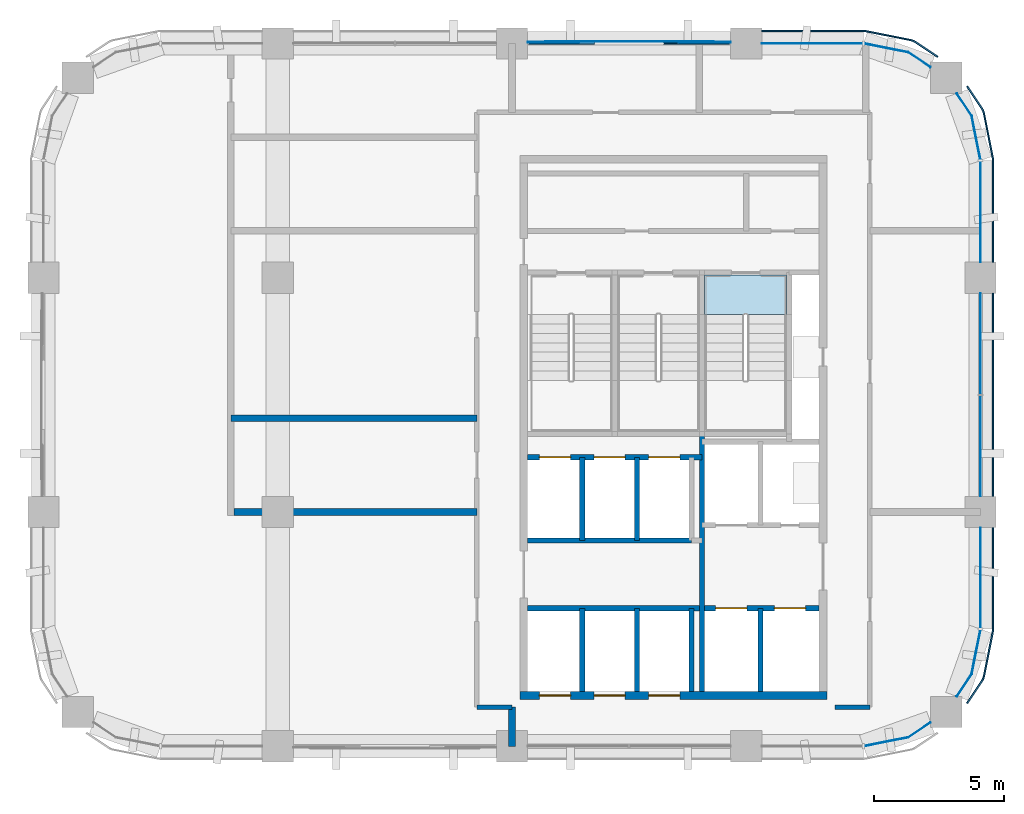
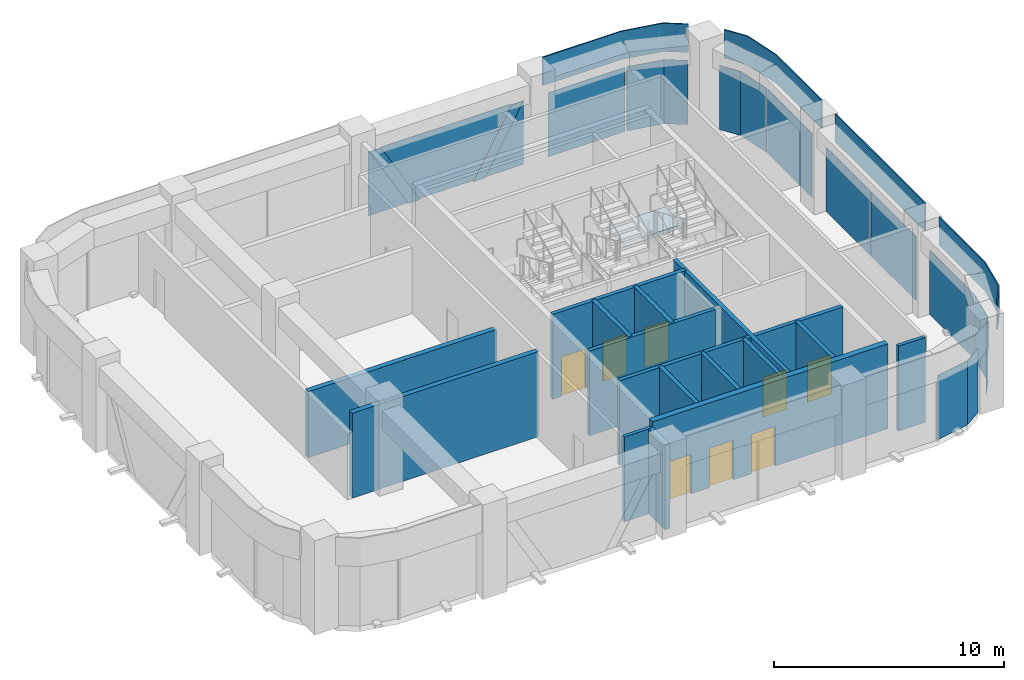
# One storey, part 7 of 11: 18 plates, 16 walls, 8 doors, 1 slab, 8 openings, 7 elements without a shape of their own.
"""IFC4 building model written with IfcOpenShell, lengths in metres."""

from ifc_helpers import new_model, si_unit, direction, frame, frame_2d, origin, origin_2d, place, context, subcontext, project, spatial, polyline, rectangle, outline, extrude, material, layer, layer_set, type_object, element, fill, aggregate, save


model = new_model("IFC4")

# Units and contexts
model_context = context("Model", 3, precision=1e-05, world=origin(), true_north=direction((0.0, 1.0)))
body_context = subcontext(model_context, "Body", "Model", "MODEL_VIEW")
ifc_project = project(units=[si_unit("LENGTHUNIT", "METRE"), si_unit("AREAUNIT", "SQUARE_METRE"), si_unit("VOLUMEUNIT", "CUBIC_METRE"), si_unit("PLANEANGLEUNIT", "RADIAN"), si_unit("MASSUNIT", "GRAM", prefix="KILO")], contexts=[model_context])

# Site, building, storey
site_placement = place(None, origin())
site = spatial("IfcSite", under=ifc_project, at=site_placement, CompositionType="ELEMENT")
building_placement = place(site_placement, origin())
building = spatial("IfcBuilding", under=site, at=building_placement, Name="Tessera Arch", CompositionType="ELEMENT")
storey_placement = place(building_placement, frame((0.0, 0.0, 290.199951171875)))
storey = spatial("IfcBuildingStorey", under=building, at=storey_placement, Name="L70", CompositionType="ELEMENT", Elevation=290.199951171875)

# Curtain wall, plates
ifc_material_1 = material(Name="CW1 curtain wall")
curtain_wall_type_1 = type_object("IfcCurtainWallType", Name="CW1 curtain wall", PredefinedType="NOTDEFINED", material=ifc_material_1)
curtain_wall_1_placement = place(storey_placement, origin())
curtain_wall_1 = element("IfcCurtainWall", 1, at=curtain_wall_1_placement, inside=storey, type_object=curtain_wall_type_1, Name="CW1 curtain wall E54.27/0 L70", PredefinedType="NOTDEFINED")
ifc_material_2 = material(Name="Clear low-e glass", Category="glass")
ifc_material_3 = material(Name="Clear low-e glass", Category="glass")
ifc_layer_1 = layer(ifc_material_3, 0.028076171875)
ifc_layer_set_1 = layer_set([ifc_layer_1], Name="CW1 glass panel")
plate_type_1 = type_object("IfcPlateType", Name="CW1 glass panel", PredefinedType="CURTAIN_PANEL", material=ifc_layer_set_1)
plate_1_placement = place(storey_placement, frame((54.0, 38.534912109375, 0.0), z_axis=(0.0, 0.0, 1.0), x_axis=(0.0, 1.0, 0.0)))
plate_1 = element("IfcPlate", 2, at=plate_1_placement, type_object=plate_type_1, material=ifc_material_2, Name="CW1 glass panel E54.27/0 1.1.1", PredefinedType="CURTAIN_PANEL", context=body_context, shape_type="SweptSolid", body=[
    extrude(rectangle(XDim=3.8701171875, YDim=0.028076171875, at=origin_2d()), origin(), (0.0, 0.0, 1.0), 3.39990234375),
])
plate_2_placement = place(storey_placement, frame((54.0, 42.465087890625, 0.0), z_axis=(0.0, 0.0, 1.0), x_axis=(0.0, 1.0, 0.0)))
plate_2 = element("IfcPlate", 3, at=plate_2_placement, type_object=plate_type_1, material=ifc_material_2, Name="CW1 glass panel E54.27/0 1.2.1", PredefinedType="CURTAIN_PANEL", context=body_context, shape_type="SweptSolid", body=[
    extrude(rectangle(XDim=3.8701171875, YDim=0.028076171875, at=origin_2d()), origin(), (0.0, 0.0, 1.0), 3.39990234375),
])
ifc_material_4 = material(Name="Pale anodised aluminium panel", Category="aluminium")
ifc_layer_2 = layer(ifc_material_4, 0.06005859375)
ifc_layer_set_2 = layer_set([ifc_layer_2], Name="CW1 spandrel panel")
plate_type_2 = type_object("IfcPlateType", Name="CW1 spandrel panel", PredefinedType="CURTAIN_PANEL", material=ifc_layer_set_2)
plate_3_placement = place(storey_placement, frame((54.47998046875, 40.5, 3.5), z_axis=(0.0, 0.0, 1.0), x_axis=(0.0, 1.0, 0.0)))
plate_3 = element("IfcPlate", 4, at=plate_3_placement, type_object=plate_type_2, Name="CW1 spandrel panel E54.27/0", PredefinedType="CURTAIN_PANEL", context=body_context, shape_type="SweptSolid", body=[
    extrude(rectangle(XDim=7.800048828125, YDim=0.06005859375, at=origin_2d()), origin(), (0.0, 0.0, 1.0), 1.5),
])
aggregate(curtain_wall_1, [plate_1, plate_2, plate_3])

ifc_material_5 = material(Name="CW2 curtain wall")
curtain_wall_type_2 = type_object("IfcCurtainWallType", Name="CW2 curtain wall", PredefinedType="NOTDEFINED", material=ifc_material_5)
curtain_wall_2_placement = place(storey_placement, origin())
curtain_wall_2 = element("IfcCurtainWall", 5, at=curtain_wall_2_placement, inside=storey, type_object=curtain_wall_type_2, Name="CW2 curtain wall E54.27/1 L70", PredefinedType="NOTDEFINED")
ifc_material_6 = material(Name="Clear low-e glass", Category="glass")
ifc_layer_3 = layer(ifc_material_6, 0.028076171875)
ifc_layer_set_3 = layer_set([ifc_layer_3], Name="CW2 glass panel")
plate_type_3 = type_object("IfcPlateType", Name="CW2 glass panel", PredefinedType="CURTAIN_PANEL", material=ifc_layer_set_3)
plate_4_placement = place(storey_placement, frame((54.0, 47.530029296875, 0.0), z_axis=(0.0, 0.0, 1.0), x_axis=(0.0, 1.0, 0.0)))
plate_4 = element("IfcPlate", 6, at=plate_4_placement, type_object=plate_type_3, material=ifc_material_2, Name="CW2 glass panel E54.27/1 1.1", PredefinedType="CURTAIN_PANEL", context=body_context, shape_type="SweptSolid", body=[
    extrude(rectangle(XDim=3.860107421875, YDim=0.028076171875, at=origin_2d()), origin(), (0.0, 0.0, 1.0), 3.39990234375),
])
plate_5_placement = place(storey_placement, origin())
plate_5 = element("IfcPlate", 7, at=plate_5_placement, type_object=plate_type_3, material=ifc_material_2, Name="CW2 curved glass panel E54.27/1 2.1", PredefinedType="CURTAIN_PANEL", context=body_context, shape_type="SweptSolid", body=[
    extrude(outline(polyline([(53.644287109375, 51.216552734375), (53.978515625, 49.53662109375), (54.005859375, 49.5419921875), (53.670654296875, 51.2275390625), (53.094482421875, 52.08984375), (53.0712890625, 52.07421875), (53.644287109375, 51.216552734375)])), origin(), (0.0, 0.0, 1.0), 3.400146484375),
])

curtain_wall_3_placement = place(storey_placement, origin())
curtain_wall_3 = element("IfcCurtainWall", 8, at=curtain_wall_3_placement, inside=storey, type_object=curtain_wall_type_2, Name="CW2 curtain wall N54.18/0 L70", PredefinedType="NOTDEFINED")
plate_6_placement = place(storey_placement, frame((47.530029296875, 54.0, 0.0), z_axis=(0.0, 0.0, 1.0), x_axis=(-1.0, 0.0, 0.0)))
plate_6 = element("IfcPlate", 9, at=plate_6_placement, type_object=plate_type_3, material=ifc_material_2, Name="CW2 glass panel N54.18/0 1.1", PredefinedType="CURTAIN_PANEL", context=body_context, shape_type="SweptSolid", body=[
    extrude(rectangle(XDim=3.860107421875, YDim=0.028076171875, at=origin_2d()), origin(), (0.0, 0.0, 1.0), 3.39990234375),
])
plate_7_placement = place(storey_placement, origin())
plate_7 = element("IfcPlate", 10, at=plate_7_placement, type_object=plate_type_3, material=ifc_material_2, Name="CW2 curved glass panel N54.18/0 2.1", PredefinedType="CURTAIN_PANEL", context=body_context, shape_type="SweptSolid", body=[
    extrude(outline(polyline([(51.216552734375, 53.644287109375), (52.07421875, 53.0712890625), (52.08984375, 53.094482421875), (51.2275390625, 53.670654296875), (49.5419921875, 54.005859375), (49.53662109375, 53.978515625), (51.216552734375, 53.644287109375)])), origin(), (0.0, 0.0, 1.0), 3.400146484375),
])

# Curtain wall, plate
curtain_wall_4_placement = place(storey_placement, origin())
curtain_wall_4 = element("IfcCurtainWall", 11, at=curtain_wall_4_placement, inside=storey, type_object=curtain_wall_type_2, Name="CW2 curtain wall S27.18/3 L70", PredefinedType="NOTDEFINED")
plate_8_placement = place(storey_placement, origin())
plate_8 = element("IfcPlate", 12, at=plate_8_placement, type_object=plate_type_3, material=ifc_material_2, Name="CW2 curved glass panel S27.18/3 2.1", PredefinedType="CURTAIN_PANEL", context=body_context, shape_type="SweptSolid", body=[
    extrude(outline(polyline([(51.216552734375, 27.355712890625), (49.53662109375, 27.021484375), (49.5419921875, 26.994140625), (51.2275390625, 27.329345703125), (52.08984375, 27.905517578125), (52.07421875, 27.9287109375), (51.216552734375, 27.355712890625)])), origin(), (0.0, 0.0, 1.0), 3.400146484375),
])
aggregate(curtain_wall_4, [plate_8])

# Curtain wall, plates
curtain_wall_5_placement = place(storey_placement, origin())
curtain_wall_5 = element("IfcCurtainWall", 13, at=curtain_wall_5_placement, inside=storey, type_object=curtain_wall_type_2, Name="CW2 curtain wall E54.27/2 L70", PredefinedType="NOTDEFINED")
plate_9_placement = place(storey_placement, frame((54.0, 33.469970703125, 0.0), z_axis=(0.0, 0.0, 1.0), x_axis=(0.0, 1.0, 0.0)))
plate_9 = element("IfcPlate", 14, at=plate_9_placement, type_object=plate_type_3, material=ifc_material_2, Name="CW2 glass panel E54.27/2 1.1", PredefinedType="CURTAIN_PANEL", context=body_context, shape_type="SweptSolid", body=[
    extrude(rectangle(XDim=3.860107421875, YDim=0.028076171875, at=origin_2d()), origin(), (0.0, 0.0, 1.0), 3.39990234375),
])
plate_10_placement = place(storey_placement, origin())
plate_10 = element("IfcPlate", 15, at=plate_10_placement, type_object=plate_type_3, material=ifc_material_2, Name="CW2 curved glass panel E54.27/2 2.1", PredefinedType="CURTAIN_PANEL", context=body_context, shape_type="SweptSolid", body=[
    extrude(outline(polyline([(53.644287109375, 29.783447265625), (53.0712890625, 28.92578125), (53.094482421875, 28.91015625), (53.670654296875, 29.7724609375), (54.005859375, 31.4580078125), (53.978515625, 31.46337890625), (53.644287109375, 29.783447265625)])), origin(), (0.0, 0.0, 1.0), 3.400146484375),
])

# Plate
ifc_material_7 = material(Name="Pale anodised aluminium panel", Category="aluminium")
ifc_layer_4 = layer(ifc_material_7, 0.06005859375)
ifc_layer_set_4 = layer_set([ifc_layer_4], Name="CW2 spandrel panel")
plate_type_4 = type_object("IfcPlateType", Name="CW2 spandrel panel", PredefinedType="CURTAIN_PANEL", material=ifc_layer_set_4)
plate_11_placement = place(storey_placement, frame((0.0, 0.0, 3.5)))
plate_11 = element("IfcPlate", 16, at=plate_11_placement, type_object=plate_type_4, Name="CW2 spandrel panel E54.27/1", PredefinedType="CURTAIN_PANEL", context=body_context, shape_type="SweptSolid", body=[
    extrude(outline(polyline([(54.449951171875, 49.499267578125), (54.449951171875, 45.60009765625), (54.510009765625, 45.60009765625), (54.510009765625, 49.500732421875), (54.507568359375, 49.550048828125), (54.500244140625, 49.598876953125), (54.157470703125, 51.322265625), (54.1455078125, 51.3701171875), (54.128662109375, 51.417236328125), (54.107421875, 51.462646484375), (54.08203125, 51.5048828125), (53.5068359375, 52.365234375), (53.45703125, 52.33203125), (54.03125, 51.47265625), (54.054443359375, 51.434326171875), (54.0732421875, 51.394287109375), (54.088134765625, 51.352783203125), (54.09912109375, 51.30908203125), (54.441162109375, 49.588623046875), (54.44775390625, 49.544189453125), (54.449951171875, 49.499267578125)])), origin(), (0.0, 0.0, 1.0), 1.5),
])

aggregate(curtain_wall_2, [plate_4, plate_5, plate_11])

plate_12_placement = place(storey_placement, frame((0.0, 0.0, 3.5)))
plate_12 = element("IfcPlate", 17, at=plate_12_placement, type_object=plate_type_4, Name="CW2 spandrel panel N54.18/0", PredefinedType="CURTAIN_PANEL", context=body_context, shape_type="SweptSolid", body=[
    extrude(outline(polyline([(51.47265625, 54.03125), (52.33203125, 53.45703125), (52.365234375, 53.5068359375), (51.5048828125, 54.08203125), (51.462646484375, 54.107421875), (51.417236328125, 54.128662109375), (51.3701171875, 54.1455078125), (51.322265625, 54.157470703125), (49.598876953125, 54.500244140625), (49.550048828125, 54.507568359375), (49.500732421875, 54.510009765625), (45.60009765625, 54.510009765625), (45.60009765625, 54.449951171875), (49.499267578125, 54.449951171875), (49.544189453125, 54.44775390625), (49.588623046875, 54.441162109375), (51.30908203125, 54.09912109375), (51.352783203125, 54.088134765625), (51.394287109375, 54.0732421875), (51.434326171875, 54.054443359375), (51.47265625, 54.03125)])), origin(), (0.0, 0.0, 1.0), 1.5),
])

aggregate(curtain_wall_3, [plate_6, plate_7, plate_12])

plate_13_placement = place(storey_placement, frame((0.0, 0.0, 3.5)))
plate_13 = element("IfcPlate", 18, at=plate_13_placement, type_object=plate_type_4, Name="CW2 spandrel panel E54.27/2", PredefinedType="CURTAIN_PANEL", context=body_context, shape_type="SweptSolid", body=[
    extrude(outline(polyline([(54.03125, 29.52734375), (53.45703125, 28.66796875), (53.5068359375, 28.634765625), (54.08203125, 29.4951171875), (54.107421875, 29.537353515625), (54.128662109375, 29.582763671875), (54.1455078125, 29.6298828125), (54.157470703125, 29.677734375), (54.500244140625, 31.401123046875), (54.507568359375, 31.449951171875), (54.510009765625, 31.499267578125), (54.510009765625, 35.39990234375), (54.449951171875, 35.39990234375), (54.449951171875, 31.500732421875), (54.44775390625, 31.455810546875), (54.441162109375, 31.411376953125), (54.09912109375, 29.69091796875), (54.088134765625, 29.647216796875), (54.0732421875, 29.605712890625), (54.054443359375, 29.565673828125), (54.03125, 29.52734375)])), origin(), (0.0, 0.0, 1.0), 1.5),
])

aggregate(curtain_wall_5, [plate_9, plate_10, plate_13])

# Curtain wall, plates
ifc_material_8 = material(Name="CW3 curtain wall")
curtain_wall_type_3 = type_object("IfcCurtainWallType", Name="CW3 curtain wall", PredefinedType="NOTDEFINED", material=ifc_material_8)
curtain_wall_6_placement = place(storey_placement, origin())
curtain_wall_6 = element("IfcCurtainWall", 19, at=curtain_wall_6_placement, inside=storey, type_object=curtain_wall_type_3, Name="CW3 curtain wall N54.18/1 L70", PredefinedType="NOTDEFINED")
ifc_material_9 = material(Name="Pale anodised aluminium panel", Category="aluminium")
ifc_layer_5 = layer(ifc_material_9, 0.06005859375)
ifc_layer_set_5 = layer_set([ifc_layer_5], Name="CW3 diagonal panel")
plate_type_5 = type_object("IfcPlateType", Name="CW3 diagonal panel", PredefinedType="CURTAIN_PANEL", material=ifc_layer_set_5)
plate_14_placement = place(storey_placement, frame((36.651123046875, 54.030029296875, 3.400146484375), z_axis=(0.0, 1.0, 0.0), x_axis=(1.0, 0.0, 0.0)))
plate_14 = element("IfcPlate", 20, at=plate_14_placement, type_object=plate_type_5, Name="CW3 diagonal panel N54.18/1 1", PredefinedType="CURTAIN_PANEL", context=body_context, shape_type="SweptSolid", body=[
    extrude(outline(polyline([(0.0, 0.0), (0.5810546875, 0.0), (2.516845703125, 3.400146484375), (1.935791015625, 3.400146484375), (0.0, 0.0)])), origin(), (0.0, 0.0, -1.0), 0.06005859375),
])
plate_15_placement = place(storey_placement, frame((43.767822265625, 54.030029296875, 3.400146484375), z_axis=(0.0, 1.0, 0.0), x_axis=(1.0, 0.0, 0.0)))
plate_15 = element("IfcPlate", 21, at=plate_15_placement, type_object=plate_type_5, Name="CW3 diagonal panel N54.18/1 2", PredefinedType="CURTAIN_PANEL", context=body_context, shape_type="SweptSolid", body=[
    extrude(outline(polyline([(0.0, 0.0), (0.5810546875, 0.0), (-1.354736328125, 3.400146484375), (-1.935791015625, 3.400146484375), (0.0, 0.0)])), origin(), (0.0, 0.0, -1.0), 0.06005859375),
])
ifc_material_10 = material(Name="Clear low-e glass", Category="glass")
ifc_layer_6 = layer(ifc_material_10, 0.028076171875)
ifc_layer_set_6 = layer_set([ifc_layer_6], Name="CW3 glass panel")
plate_type_6 = type_object("IfcPlateType", Name="CW3 glass panel", PredefinedType="CURTAIN_PANEL", material=ifc_layer_set_6)
plate_16_placement = place(storey_placement, frame((44.39990234375, 54.05810546875, 0.0), z_axis=(0.0, 1.0, 0.0), x_axis=(-1.0, 0.0, 0.0)))
plate_16 = element("IfcPlate", 22, at=plate_16_placement, type_object=plate_type_6, material=ifc_material_2, Name="CW3 triangulated glass panel N54.18/1 1", PredefinedType="CURTAIN_PANEL", context=body_context, shape_type="SweptSolid", body=[
    extrude(outline(polyline([(0.0, 0.0), (1.98681640625, 0.0), (0.051025390625, 3.400146484375), (0.0, 3.400146484375), (0.0, 0.0)])), origin(), (0.0, 0.0, -1.0), 0.028076171875),
])
plate_17_placement = place(storey_placement, frame((37.232177734375, 54.0859375, 3.400146484375), z_axis=(0.0, 1.0, 0.0), x_axis=(1.0, 0.0, 0.0)))
plate_17 = element("IfcPlate", 23, at=plate_17_placement, type_object=plate_type_6, material=ifc_material_2, Name="CW3 triangulated glass panel N54.18/1 2", PredefinedType="CURTAIN_PANEL", context=body_context, shape_type="SweptSolid", body=[
    extrude(outline(polyline([(0.0, 0.0), (6.53564453125, 0.0), (4.599853515625, 3.400146484375), (1.935791015625, 3.400146484375), (0.0, 0.0)])), origin(), (0.0, 0.0, -1.0), 0.028076171875),
])
plate_18_placement = place(storey_placement, frame((36.60009765625, 54.05810546875, 3.400146484375), z_axis=(0.0, 1.0, 0.0), x_axis=(1.0, 0.0, 0.0)))
plate_18 = element("IfcPlate", 24, at=plate_18_placement, type_object=plate_type_6, material=ifc_material_2, Name="CW3 triangulated glass panel N54.18/1 3", PredefinedType="CURTAIN_PANEL", context=body_context, shape_type="SweptSolid", body=[
    extrude(outline(polyline([(0.0, 0.0), (0.051025390625, 0.0), (1.98681640625, 3.400146484375), (0.0, 3.400146484375), (0.0, 0.0)])), origin(), (0.0, 0.0, -1.0), 0.028076171875),
])
aggregate(curtain_wall_6, [plate_16, plate_17, plate_18, plate_14, plate_15])

# Stair, slab
ifc_material_11 = material(Name="Concrete C40/50", Category="concrete")
stair_type = type_object("IfcStairType", Name="Dogleg stair 1520", PredefinedType="HALF_TURN_STAIR", material=ifc_material_11)
stair_placement = place(storey_placement, origin())
stair = element("IfcStair", 25, at=stair_placement, inside=storey, type_object=stair_type, Name="L70 S1c", PredefinedType="HALF_TURN_STAIR")
ifc_material_12 = material(Name="Concrete C40/50", Category="concrete")
ifc_layer_7 = layer(ifc_material_12, 0.300048828125)
ifc_layer_set_7 = layer_set([ifc_layer_7], Name="Stair landing 300")
slab_type = type_object("IfcSlabType", Name="Stair landing 300", PredefinedType="LANDING", material=ifc_layer_set_7)
slab_placement = place(storey_placement, frame((0.0, 0.0, 2.300048828125)))
slab = element("IfcSlab", 26, at=slab_placement, type_object=slab_type, Name="S1c landing 2", PredefinedType="LANDING", context=body_context, shape_type="SweptSolid", body=[
    extrude(outline(polyline([(43.39990234375, 45.10009765625), (43.39990234375, 43.580078125), (46.550048828125, 43.580078125), (46.550048828125, 45.10009765625), (43.39990234375, 45.10009765625)])), origin(), (0.0, 0.0, 1.0), 0.199951171875),
])
aggregate(stair, [slab])

# Wall, openings, doors
ifc_material_13 = material(Name="Concrete C50/60", Category="concrete")
ifc_layer_8 = layer(ifc_material_13, 0.300048828125)
ifc_layer_set_8 = layer_set([ifc_layer_8], Name="Core shell wall 300 C50-60")
wall_type_1 = type_object("IfcWallType", Name="Core shell wall 300 C50-60", PredefinedType="SHEAR", material=ifc_layer_set_8)
wall_1_placement = place(storey_placement, frame((36.300048828125, 28.949951171875, 0.0), z_axis=(0.0, 0.0, 1.0), x_axis=(1.0, 0.0, 0.0)))
wall_1 = element("IfcWall", 27, at=wall_1_placement, inside=storey, type_object=wall_type_1, Name="L70 C1 core wall S", PredefinedType="SHEAR", context=body_context, shape_type="SweptSolid", body=[
    extrude(rectangle(XDim=11.800048828125, YDim=0.300048828125, at=frame_2d((5.89990234375, 0.0))), origin(), (0.0, 0.0, 1.0), 4.5),
])
opening_1_placement = place(wall_1_placement, frame((0.75, 0.0, 0.0)))
opening_1 = element("IfcOpeningElement", 28, at=opening_1_placement, cuts=wall_1, Name="Opening L70-C01", PredefinedType="OPENING", context=body_context, shape_type="SweptSolid", body=[
    extrude(rectangle(XDim=1.199951171875, YDim=2.10009765625, at=frame_2d((0.60009765625, 1.050048828125))), frame((0.0, 0.159912109375, 0.0), z_axis=(0.0, -1.0, 0.0), x_axis=(1.0, 0.0, 0.0)), (0.0, 0.0, 1.0), 0.320068359375),
])
opening_2_placement = place(wall_1_placement, frame((2.85009765625, 0.0, 0.0)))
opening_2 = element("IfcOpeningElement", 29, at=opening_2_placement, cuts=wall_1, Name="Opening L70-C03", PredefinedType="OPENING", context=body_context, shape_type="SweptSolid", body=[
    extrude(rectangle(XDim=1.199951171875, YDim=2.10009765625, at=frame_2d((0.60009765625, 1.050048828125))), frame((0.0, 0.159912109375, 0.0), z_axis=(0.0, -1.0, 0.0), x_axis=(1.0, 0.0, 0.0)), (0.0, 0.0, 1.0), 0.320068359375),
])
opening_3_placement = place(wall_1_placement, frame((4.949951171875, 0.0, 0.0)))
opening_3 = element("IfcOpeningElement", 30, at=opening_3_placement, cuts=wall_1, Name="Opening L70-C05", PredefinedType="OPENING", context=body_context, shape_type="SweptSolid", body=[
    extrude(rectangle(XDim=1.199951171875, YDim=2.10009765625, at=frame_2d((0.60009765625, 1.050048828125))), frame((0.0, 0.159912109375, 0.0), z_axis=(0.0, -1.0, 0.0), x_axis=(1.0, 0.0, 0.0)), (0.0, 0.0, 1.0), 0.320068359375),
])
ifc_material_14 = material(Name="Stainless steel AISI 304", Category="steel")
door_type = type_object("IfcDoorType", Name="Sliding landing door 1200 x 2100", OperationType="SLIDING_TO_LEFT", PredefinedType="DOOR", material=ifc_material_14)
door_1_placement = place(opening_1_placement, origin())
door_1 = element("IfcDoor", 31, at=door_1_placement, inside=storey, type_object=door_type, Name="L70 HR1 lift landing door C01 type LD", OperationType="SLIDING_TO_LEFT", OverallHeight=2.10009765625, OverallWidth=1.199951171875, PredefinedType="DOOR", context=body_context, shape_type="SweptSolid", body=[
    extrude(rectangle(XDim=1.199951171875, YDim=2.10009765625, at=frame_2d((0.60009765625, 1.050048828125))), frame((0.0, 0.02490234375, 0.0), z_axis=(0.0, -1.0, 0.0), x_axis=(1.0, 0.0, 0.0)), (0.0, 0.0, 1.0), 0.050048828125),
])
fill(opening_1, door_1)
door_2_placement = place(opening_2_placement, origin())
door_2 = element("IfcDoor", 32, at=door_2_placement, inside=storey, type_object=door_type, Name="L70 HR2 lift landing door C03 type LD", OperationType="SLIDING_TO_LEFT", OverallHeight=2.10009765625, OverallWidth=1.199951171875, PredefinedType="DOOR", context=body_context, shape_type="SweptSolid", body=[
    extrude(rectangle(XDim=1.199951171875, YDim=2.10009765625, at=frame_2d((0.60009765625, 1.050048828125))), frame((0.0, 0.02490234375, 0.0), z_axis=(0.0, -1.0, 0.0), x_axis=(1.0, 0.0, 0.0)), (0.0, 0.0, 1.0), 0.050048828125),
])
fill(opening_2, door_2)
door_3_placement = place(opening_3_placement, origin())
door_3 = element("IfcDoor", 33, at=door_3_placement, inside=storey, type_object=door_type, Name="L70 HR3 lift landing door C05 type LD", OperationType="SLIDING_TO_LEFT", OverallHeight=2.10009765625, OverallWidth=1.199951171875, PredefinedType="DOOR", context=body_context, shape_type="SweptSolid", body=[
    extrude(rectangle(XDim=1.199951171875, YDim=2.10009765625, at=frame_2d((0.60009765625, 1.050048828125))), frame((0.0, 0.02490234375, 0.0), z_axis=(0.0, -1.0, 0.0), x_axis=(1.0, 0.0, 0.0)), (0.0, 0.0, 1.0), 0.050048828125),
])
fill(opening_3, door_3)

# Walls
ifc_material_15 = material(Name="Gypsum board on deep steel stud with mineral wool", Category="steel")
ifc_layer_9 = layer(ifc_material_15, 0.175048828125)
ifc_layer_set_9 = layer_set([ifc_layer_9], Name="Corridor wall 175 EI 60")
wall_type_2 = type_object("IfcWallType", Name="Corridor wall 175 EI 60", PredefinedType="PARTITIONING", material=ifc_layer_set_9)
for number, where, z_axis, x_axis, name in (
    (34, (34.64990234375, 28.5, 0.0), (0.0, 0.0, 1.0), (1.0, 0.0, 0.0), "L70 partition 1"),
    (35, (48.39990234375, 28.5, 0.0), (0.0, 0.0, 1.0), (1.0, 0.0, 0.0), "L70 partition 2"),
):
    element("IfcWall", number, at=place(storey_placement, frame(where, z_axis=z_axis, x_axis=x_axis)), inside=storey, type_object=wall_type_2, Name=name, PredefinedType="PARTITIONING", context=body_context, shape_type="SweptSolid", body=[
        extrude(rectangle(XDim=1.35009765625, YDim=0.175048828125, at=frame_2d((0.675048828125, 0.0))), origin(), (0.0, 0.0, 1.0), 4.5),
    ])
ifc_material_16 = material(Name="Double gypsum board on twin steel stud with acoustic mineral wool", Category="steel")
ifc_layer_10 = layer(ifc_material_16, 0.25)
ifc_layer_set_10 = layer_set([ifc_layer_10], Name="Party wall 250 EI 60")
wall_type_3 = type_object("IfcWallType", Name="Party wall 250 EI 60", PredefinedType="PARTITIONING", material=ifc_layer_set_10)
wall_2_placement = place(storey_placement, frame((25.324951171875, 36.0, 0.0), z_axis=(0.0, 0.0, 1.0), x_axis=(1.0, 0.0, 0.0)))
element("IfcWall", 36, at=wall_2_placement, inside=storey, type_object=wall_type_3, Name="L70 partition 6", PredefinedType="PARTITIONING", context=body_context, shape_type="SweptSolid", body=[
    extrude(rectangle(XDim=9.324951171875, YDim=0.25, at=frame_2d((4.66259765625, 0.0))), origin(), (0.0, 0.0, 1.0), 4.5),
])
wall_3_placement = place(storey_placement, frame((25.199951171875, 39.60009765625, 0.0), z_axis=(0.0, 0.0, 1.0), x_axis=(1.0, 0.0, 0.0)))
element("IfcWall", 37, at=wall_3_placement, inside=storey, type_object=wall_type_3, Name="L70 partition 8", PredefinedType="PARTITIONING", context=body_context, shape_type="SweptSolid", body=[
    extrude(rectangle(XDim=9.449951171875, YDim=0.25, at=frame_2d((4.72509765625, 0.0))), origin(), (0.0, 0.0, 1.0), 3.5),
])
wall_4_placement = place(storey_placement, frame((36.0, 27.0, 0.0), z_axis=(0.0, 0.0, 1.0), x_axis=(0.0, 1.0, 0.0)))
element("IfcWall", 38, at=wall_4_placement, inside=storey, type_object=wall_type_3, Name="L70 partition 13", PredefinedType="PARTITIONING", context=body_context, shape_type="SweptSolid", body=[
    extrude(rectangle(XDim=1.5, YDim=0.25, at=frame_2d((0.75, 0.0))), origin(), (0.0, 0.0, 1.0), 4.5),
])
ifc_material_17 = material(Name="Concrete C40/50", Category="concrete")
ifc_layer_11 = layer(ifc_material_17, 0.199951171875)
ifc_layer_set_11 = layer_set([ifc_layer_11], Name="Shaft wall 200 EI 120")
wall_type_4 = type_object("IfcWallType", Name="Shaft wall 200 EI 120", PredefinedType="SOLIDWALL", material=ifc_layer_set_11)
wall_5_placement = place(storey_placement, frame((38.699951171875, 29.10009765625, 0.0), z_axis=(0.0, 0.0, 1.0), x_axis=(0.0, 1.0, 0.0)))
element("IfcWall", 39, at=wall_5_placement, inside=storey, type_object=wall_type_4, Name="L70 C1 shaft wall 1", PredefinedType="SOLIDWALL", context=body_context, shape_type="SweptSolid", body=[
    extrude(rectangle(XDim=3.199951171875, YDim=0.199951171875, at=frame_2d((1.60009765625, 0.0))), origin(), (0.0, 0.0, 1.0), 4.5),
])
wall_6_placement = place(storey_placement, frame((38.699951171875, 34.89990234375, 0.0), z_axis=(0.0, 0.0, 1.0), x_axis=(0.0, 1.0, 0.0)))
element("IfcWall", 40, at=wall_6_placement, inside=storey, type_object=wall_type_4, Name="L70 C1 shaft wall 2", PredefinedType="SOLIDWALL", context=body_context, shape_type="SweptSolid", body=[
    extrude(rectangle(XDim=3.2001953125, YDim=0.199951171875, at=frame_2d((1.60009765625, 0.0))), origin(), (0.0, 0.0, 1.0), 4.5),
])
wall_7_placement = place(storey_placement, frame((40.800048828125, 29.10009765625, 0.0), z_axis=(0.0, 0.0, 1.0), x_axis=(0.0, 1.0, 0.0)))
element("IfcWall", 41, at=wall_7_placement, inside=storey, type_object=wall_type_4, Name="L70 C1 shaft wall 6", PredefinedType="SOLIDWALL", context=body_context, shape_type="SweptSolid", body=[
    extrude(rectangle(XDim=3.199951171875, YDim=0.199951171875, at=frame_2d((1.60009765625, 0.0))), origin(), (0.0, 0.0, 1.0), 4.5),
])
wall_8_placement = place(storey_placement, frame((40.800048828125, 34.89990234375, 0.0), z_axis=(0.0, 0.0, 1.0), x_axis=(0.0, 1.0, 0.0)))
element("IfcWall", 42, at=wall_8_placement, inside=storey, type_object=wall_type_4, Name="L70 C1 shaft wall 7", PredefinedType="SOLIDWALL", context=body_context, shape_type="SweptSolid", body=[
    extrude(rectangle(XDim=3.2001953125, YDim=0.199951171875, at=frame_2d((1.60009765625, 0.0))), origin(), (0.0, 0.0, 1.0), 4.5),
])
wall_9_placement = place(storey_placement, frame((42.89990234375, 29.10009765625, 0.0), z_axis=(0.0, 0.0, 1.0), x_axis=(0.0, 1.0, 0.0)))
element("IfcWall", 43, at=wall_9_placement, inside=storey, type_object=wall_type_4, Name="L70 C1 shaft wall 8", PredefinedType="SOLIDWALL", context=body_context, shape_type="SweptSolid", body=[
    extrude(rectangle(XDim=3.199951171875, YDim=0.199951171875, at=frame_2d((1.60009765625, 0.0))), origin(), (0.0, 0.0, 1.0), 4.5),
])
wall_10_placement = place(storey_placement, frame((43.300048828125, 29.10009765625, 0.0), z_axis=(0.0, 0.0, 1.0), x_axis=(0.0, 1.0, 0.0)))
element("IfcWall", 44, at=wall_10_placement, inside=storey, type_object=wall_type_4, Name="L70 C1 shaft wall 10", PredefinedType="SOLIDWALL", context=body_context, shape_type="SweptSolid", body=[
    extrude(rectangle(XDim=9.89990234375, YDim=0.199951171875, at=frame_2d((4.949951171875, 0.0))), origin(), (0.0, 0.0, 1.0), 4.5),
])
wall_11_placement = place(storey_placement, frame((45.550048828125, 29.10009765625, 0.0), z_axis=(0.0, 0.0, 1.0), x_axis=(0.0, 1.0, 0.0)))
element("IfcWall", 45, at=wall_11_placement, inside=storey, type_object=wall_type_4, Name="L70 C1 shaft wall 15", PredefinedType="SOLIDWALL", context=body_context, shape_type="SweptSolid", body=[
    extrude(rectangle(XDim=3.199951171875, YDim=0.199951171875, at=frame_2d((1.60009765625, 0.0))), origin(), (0.0, 0.0, 1.0), 4.5),
])

# Wall, openings, doors
wall_12_placement = place(storey_placement, frame((36.60009765625, 32.300048828125, 0.0), z_axis=(0.0, 0.0, 1.0), x_axis=(1.0, 0.0, 0.0)))
wall_12 = element("IfcWall", 46, at=wall_12_placement, inside=storey, type_object=wall_type_4, Name="L70 C1 shaft wall 21", PredefinedType="SOLIDWALL", context=body_context, shape_type="SweptSolid", body=[
    extrude(rectangle(XDim=11.199951171875, YDim=0.199951171875, at=frame_2d((5.60009765625, 0.0))), origin(), (0.0, 0.0, 1.0), 4.5),
])
opening_4_placement = place(wall_12_placement, frame((7.22509765625, 0.0, 0.0)))
opening_4 = element("IfcOpeningElement", 47, at=opening_4_placement, cuts=wall_12, Name="Opening L70-C07", PredefinedType="OPENING", context=body_context, shape_type="SweptSolid", body=[
    extrude(rectangle(XDim=1.199951171875, YDim=2.10009765625, at=frame_2d((0.60009765625, 1.050048828125))), frame((0.0, 0.10986328125, 0.0), z_axis=(0.0, -1.0, 0.0), x_axis=(1.0, 0.0, 0.0)), (0.0, 0.0, 1.0), 0.219970703125),
])
opening_5_placement = place(wall_12_placement, frame((9.47509765625, 0.0, 0.0)))
opening_5 = element("IfcOpeningElement", 48, at=opening_5_placement, cuts=wall_12, Name="Opening L70-C08", PredefinedType="OPENING", context=body_context, shape_type="SweptSolid", body=[
    extrude(rectangle(XDim=1.199951171875, YDim=2.10009765625, at=frame_2d((0.60009765625, 1.050048828125))), frame((0.0, 0.10986328125, 0.0), z_axis=(0.0, -1.0, 0.0), x_axis=(1.0, 0.0, 0.0)), (0.0, 0.0, 1.0), 0.219970703125),
])
door_4_placement = place(opening_4_placement, origin())
door_4 = element("IfcDoor", 49, at=door_4_placement, inside=storey, type_object=door_type, Name="L70 FF1 lift landing door C07 type LD", OperationType="SLIDING_TO_LEFT", OverallHeight=2.10009765625, OverallWidth=1.199951171875, PredefinedType="DOOR", context=body_context, shape_type="SweptSolid", body=[
    extrude(rectangle(XDim=1.199951171875, YDim=2.10009765625, at=frame_2d((0.60009765625, 1.050048828125))), frame((0.0, 0.02490234375, 0.0), z_axis=(0.0, -1.0, 0.0), x_axis=(1.0, 0.0, 0.0)), (0.0, 0.0, 1.0), 0.050048828125),
])
fill(opening_4, door_4)
door_5_placement = place(opening_5_placement, origin())
door_5 = element("IfcDoor", 50, at=door_5_placement, inside=storey, type_object=door_type, Name="L70 FF2 lift landing door C08 type LD", OperationType="SLIDING_TO_LEFT", OverallHeight=2.10009765625, OverallWidth=1.199951171875, PredefinedType="DOOR", context=body_context, shape_type="SweptSolid", body=[
    extrude(rectangle(XDim=1.199951171875, YDim=2.10009765625, at=frame_2d((0.60009765625, 1.050048828125))), frame((0.0, 0.02490234375, 0.0), z_axis=(0.0, -1.0, 0.0), x_axis=(1.0, 0.0, 0.0)), (0.0, 0.0, 1.0), 0.050048828125),
])
fill(opening_5, door_5)

# Wall
wall_13_placement = place(storey_placement, frame((36.60009765625, 34.89990234375, 0.0), z_axis=(0.0, 0.0, 1.0), x_axis=(1.0, 0.0, 0.0)))
element("IfcWall", 51, at=wall_13_placement, inside=storey, type_object=wall_type_4, Name="L70 C1 shaft wall 23", PredefinedType="SOLIDWALL", context=body_context, shape_type="SweptSolid", body=[
    extrude(rectangle(XDim=6.2998046875, YDim=0.199951171875, at=frame_2d((3.14990234375, 0.0))), origin(), (0.0, 0.0, 1.0), 4.5),
])

# Wall, openings, doors
wall_14_placement = place(storey_placement, frame((36.60009765625, 38.10009765625, 0.0), z_axis=(0.0, 0.0, 1.0), x_axis=(1.0, 0.0, 0.0)))
wall_14 = element("IfcWall", 52, at=wall_14_placement, inside=storey, type_object=wall_type_4, Name="L70 C1 shaft wall 25", PredefinedType="SOLIDWALL", context=body_context, shape_type="SweptSolid", body=[
    extrude(rectangle(XDim=6.699951171875, YDim=0.199951171875, at=frame_2d((3.35009765625, 0.0))), origin(), (0.0, 0.0, 1.0), 4.5),
])
opening_6_placement = place(wall_14_placement, frame((0.449951171875, 0.0, 0.0)))
opening_6 = element("IfcOpeningElement", 53, at=opening_6_placement, cuts=wall_14, Name="Opening L70-C02", PredefinedType="OPENING", context=body_context, shape_type="SweptSolid", body=[
    extrude(rectangle(XDim=1.199951171875, YDim=2.10009765625, at=frame_2d((0.60009765625, 1.050048828125))), frame((0.0, 0.10986328125, 0.0), z_axis=(0.0, -1.0, 0.0), x_axis=(1.0, 0.0, 0.0)), (0.0, 0.0, 1.0), 0.219970703125),
])
opening_7_placement = place(wall_14_placement, frame((2.550048828125, 0.0, 0.0)))
opening_7 = element("IfcOpeningElement", 54, at=opening_7_placement, cuts=wall_14, Name="Opening L70-C04", PredefinedType="OPENING", context=body_context, shape_type="SweptSolid", body=[
    extrude(rectangle(XDim=1.199951171875, YDim=2.10009765625, at=frame_2d((0.60009765625, 1.050048828125))), frame((0.0, 0.10986328125, 0.0), z_axis=(0.0, -1.0, 0.0), x_axis=(1.0, 0.0, 0.0)), (0.0, 0.0, 1.0), 0.219970703125),
])
opening_8_placement = place(wall_14_placement, frame((4.64990234375, 0.0, 0.0)))
opening_8 = element("IfcOpeningElement", 55, at=opening_8_placement, cuts=wall_14, Name="Opening L70-C06", PredefinedType="OPENING", context=body_context, shape_type="SweptSolid", body=[
    extrude(rectangle(XDim=1.199951171875, YDim=2.10009765625, at=frame_2d((0.60009765625, 1.050048828125))), frame((0.0, 0.10986328125, 0.0), z_axis=(0.0, -1.0, 0.0), x_axis=(1.0, 0.0, 0.0)), (0.0, 0.0, 1.0), 0.219970703125),
])
door_6_placement = place(opening_6_placement, origin())
door_6 = element("IfcDoor", 56, at=door_6_placement, inside=storey, type_object=door_type, Name="L70 HR4 lift landing door C02 type LD", OperationType="SLIDING_TO_LEFT", OverallHeight=2.10009765625, OverallWidth=1.199951171875, PredefinedType="DOOR", context=body_context, shape_type="SweptSolid", body=[
    extrude(rectangle(XDim=1.199951171875, YDim=2.10009765625, at=frame_2d((0.60009765625, 1.050048828125))), frame((0.0, 0.02490234375, 0.0), z_axis=(0.0, -1.0, 0.0), x_axis=(1.0, 0.0, 0.0)), (0.0, 0.0, 1.0), 0.050048828125),
])
fill(opening_6, door_6)
door_7_placement = place(opening_7_placement, origin())
door_7 = element("IfcDoor", 57, at=door_7_placement, inside=storey, type_object=door_type, Name="L70 HR5 lift landing door C04 type LD", OperationType="SLIDING_TO_LEFT", OverallHeight=2.10009765625, OverallWidth=1.199951171875, PredefinedType="DOOR", context=body_context, shape_type="SweptSolid", body=[
    extrude(rectangle(XDim=1.199951171875, YDim=2.10009765625, at=frame_2d((0.60009765625, 1.050048828125))), frame((0.0, 0.02490234375, 0.0), z_axis=(0.0, -1.0, 0.0), x_axis=(1.0, 0.0, 0.0)), (0.0, 0.0, 1.0), 0.050048828125),
])
fill(opening_7, door_7)
door_8_placement = place(opening_8_placement, origin())
door_8 = element("IfcDoor", 58, at=door_8_placement, inside=storey, type_object=door_type, Name="L70 HR6 lift landing door C06 type LD", OperationType="SLIDING_TO_LEFT", OverallHeight=2.10009765625, OverallWidth=1.199951171875, PredefinedType="DOOR", context=body_context, shape_type="SweptSolid", body=[
    extrude(rectangle(XDim=1.199951171875, YDim=2.10009765625, at=frame_2d((0.60009765625, 1.050048828125))), frame((0.0, 0.02490234375, 0.0), z_axis=(0.0, -1.0, 0.0), x_axis=(1.0, 0.0, 0.0)), (0.0, 0.0, 1.0), 0.050048828125),
])
fill(opening_8, door_8)

save(model, "model.ifc")
